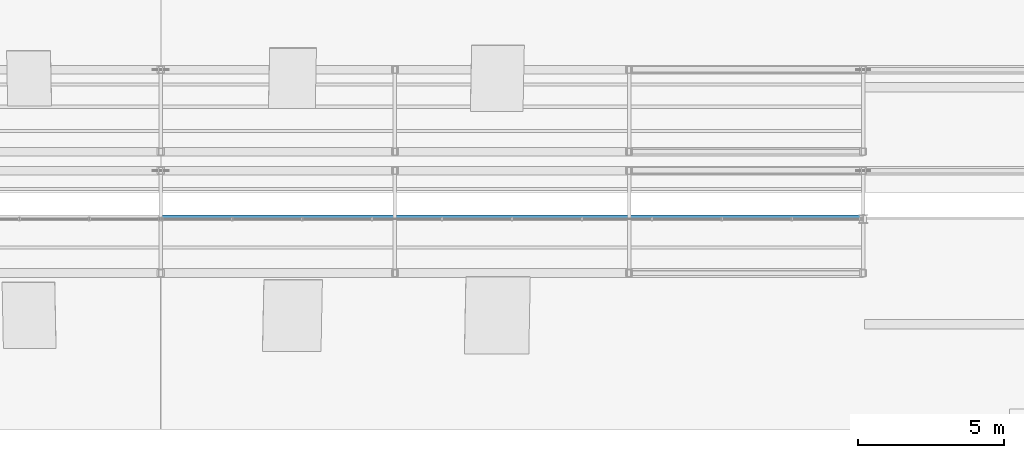
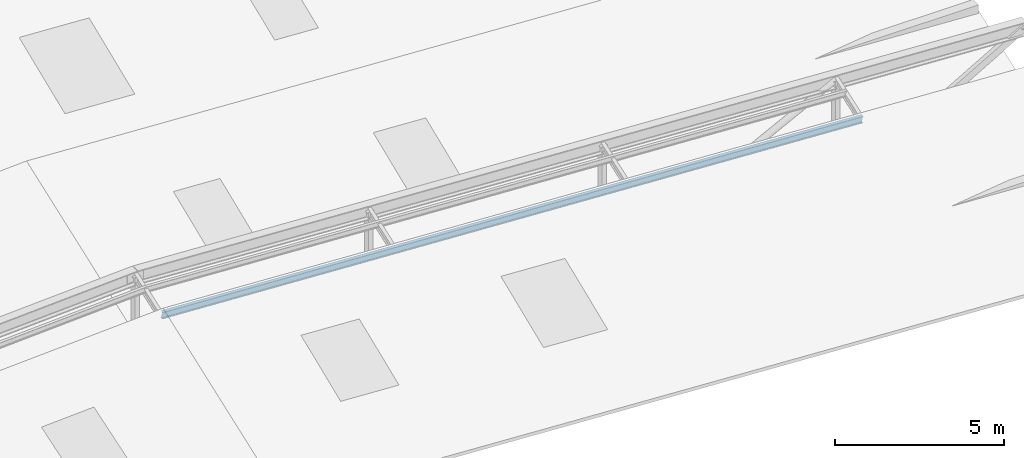
# One storey, part 51 of 141: 1 member.
"""IFC4 building model written with IfcOpenShell, lengths in metres."""

from ifc_helpers import new_model, si_unit, direction, frame, origin, origin_2d, place, context, subcontext, project, spatial, i_section, extrude, material, material_profile, profile_set, type_object, element, save


model = new_model("IFC4")

# Units and contexts
model_context = context("Model", 3, precision=1e-05, world=origin(), true_north=direction((0.0, 1.0)))
body_context = subcontext(model_context, "Body", "Model", "MODEL_VIEW")
ifc_project = project(units=[si_unit("LENGTHUNIT", "METRE"), si_unit("AREAUNIT", "SQUARE_METRE"), si_unit("VOLUMEUNIT", "CUBIC_METRE"), si_unit("PLANEANGLEUNIT", "RADIAN"), si_unit("MASSUNIT", "GRAM", prefix="KILO")], contexts=[model_context])

# Site, building, storey
site_placement = place(None, origin())
site = spatial("IfcSite", under=ifc_project, at=site_placement, CompositionType="ELEMENT")
building_placement = place(site_placement, origin())
building = spatial("IfcBuilding", under=site, at=building_placement, Name="Sundkrona Museum", CompositionType="ELEMENT")
storey_placement = place(building_placement, frame((0.0, 0.0, 34.0)))
storey = spatial("IfcBuildingStorey", under=building, at=storey_placement, Name="RF", CompositionType="ELEMENT", Elevation=34.0)

# Member
ifc_material = material(Name="Steel S355J2", Category="steel")
ifc_material_profile = material_profile(ifc_material, i_section(OverallWidth=0.1201171875, OverallDepth=0.239990234375, WebThickness=0.006103515625, FlangeThickness=0.009765625, FilletRadius=0.014892578125, at=origin_2d()), Name="IPE 240")
ifc_profile_set = profile_set([ifc_material_profile], Name="Steel S355J2")
member_type = type_object("IfcMemberType", Name="PR-IPE240", PredefinedType="PURLIN", material=ifc_profile_set)
member_placement = place(storey_placement, frame((144.0, 2.27490234375, 4.66259765625), z_axis=(0.998539934522, 0.0, -0.054018507607), x_axis=(0.0, 1.0, 0.0)))
element("IfcMember", 1, at=member_placement, inside=storey, type_object=member_type, Name="RFS-1 Sawtooth Blade 1E Roof Purlin 2", PredefinedType="PURLIN", context=body_context, shape_type="SweptSolid", body=[
    extrude(i_section(OverallWidth=0.1201171875, OverallDepth=0.239990234375, WebThickness=0.006103515625, FlangeThickness=0.009765625, FilletRadius=0.014892578125, at=origin_2d()), origin(), (0.0, 0.0, 1.0), 24.03515625),
])

save(model, "model.ifc")
